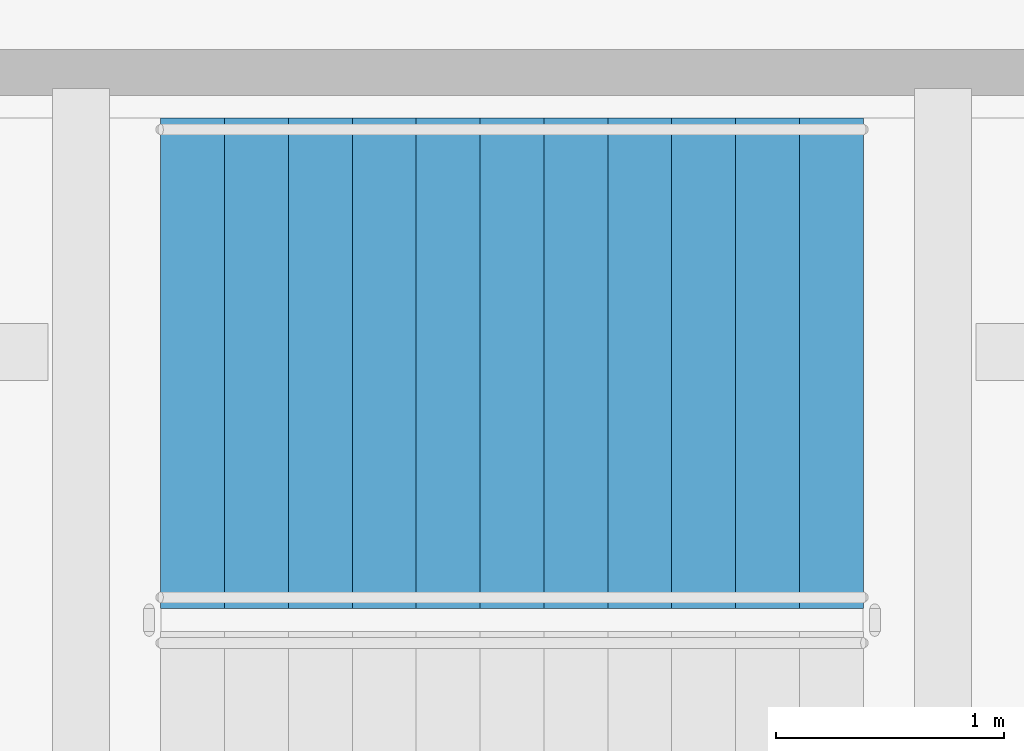
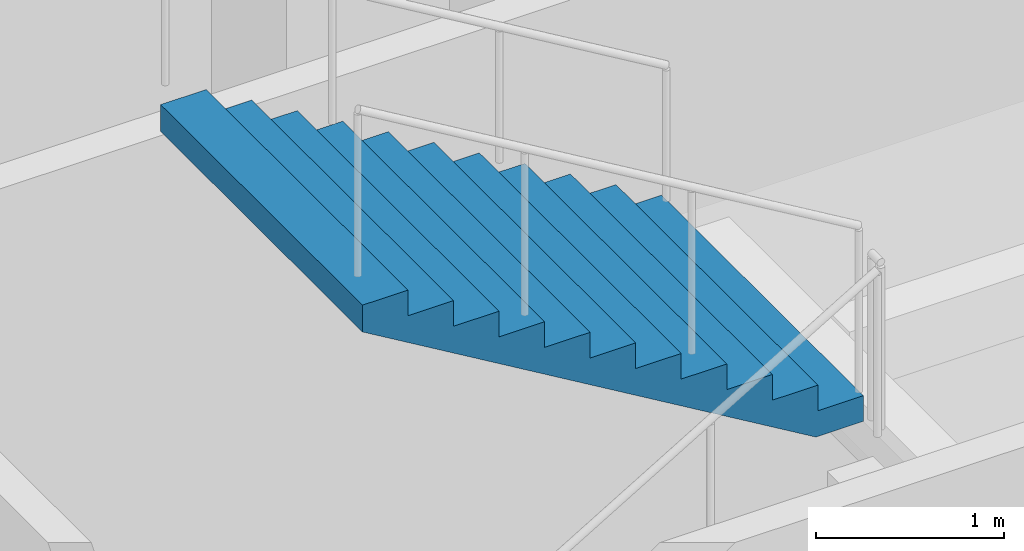
# One storey, part 22 of 30: 1 stair flight, 1 element without a shape of its own.
"""IFC4 building model written with IfcOpenShell, lengths in metres."""

from ifc_helpers import new_model, si_unit, direction, frame, origin, place, context, subcontext, project, spatial, triangles, material, type_object, element, aggregate, save


model = new_model("IFC4")

# Units and contexts
model_context = context("Model", 3, precision=1e-05, world=origin(), true_north=direction((0.0, 1.0)))
body_context = subcontext(model_context, "Body", "Model", "MODEL_VIEW")
ifc_project = project(units=[si_unit("LENGTHUNIT", "METRE"), si_unit("AREAUNIT", "SQUARE_METRE"), si_unit("VOLUMEUNIT", "CUBIC_METRE"), si_unit("PLANEANGLEUNIT", "RADIAN"), si_unit("MASSUNIT", "GRAM", prefix="KILO")], contexts=[model_context])

# Site, building, storey
site_placement = place(None, origin())
site = spatial("IfcSite", under=ifc_project, at=site_placement, CompositionType="ELEMENT")
building_placement = place(site_placement, origin())
building = spatial("IfcBuilding", under=site, at=building_placement, Name="Verdalira Terraces Hotel", CompositionType="ELEMENT")
storey_placement = place(building_placement, origin())
storey = spatial("IfcBuildingStorey", under=building, at=storey_placement, Name="L00", CompositionType="ELEMENT", Elevation=0.0)

# Stair, stair flight
ifc_material_1 = material(Name="Concrete C40", Category="concrete")
stair_type = type_object("IfcStairType", Name="Podium stair 48 risers", PredefinedType="HALF_TURN_STAIR", material=ifc_material_1)
stair_placement = place(storey_placement, origin())
stair = element("IfcStair", 1, at=stair_placement, inside=storey, type_object=stair_type, Name="L00 Exit stair PS1", PredefinedType="HALF_TURN_STAIR")
ifc_material_2 = material(Name="Concrete C40", Category="concrete")
stair_flight_type = type_object("IfcStairFlightType", Name="Podium stair flight 48 risers", PredefinedType="STRAIGHT", material=ifc_material_2)
stair_flight_placement = place(storey_placement, frame((2.330078, 39.925049, 6.0), z_axis=(0.0, 0.0, 1.0), x_axis=(-1.0, 0.0, 0.0)))
stair_flight = element("IfcStairFlight", 2, at=stair_flight_placement, type_object=stair_flight_type, Name="PS1 flight 4", NumberOfRisers=12, NumberOfTreads=11, PredefinedType="STRAIGHT", RiserHeight=0.166666667, TreadLength=0.28, context=body_context, shape_type="Tessellation", body=[
    triangles([(0.0, 1.074951, 0.0), (0.292969, 1.074951, 0.0), (3.080078, 1.074951, 1.658936), (0.0, -1.074951, 0.0), (0.292969, -1.074951, 0.0), (3.080078, -1.074951, 1.658936), (3.080078, 1.074951, 1.833252), (2.800049, 1.074951, 1.833252), (3.080078, -1.074951, 1.833252), (2.800049, -1.074951, 1.833252), (2.800049, 1.074951, 1.666748), (2.800049, -1.074951, 1.666748), (2.52002, 1.074951, 1.666748), (2.52002, -1.074951, 1.666748), (2.52002, 1.074951, 1.5), (2.52002, -1.074951, 1.5), (2.23999, 1.074951, 1.5), (2.23999, 1.074951, 1.333252), (2.23999, -1.074951, 1.5), (2.23999, -1.074951, 1.333252), (1.959961, 1.074951, 1.333252), (1.959961, 1.074951, 1.166748), (1.959961, -1.074951, 1.333252), (1.959961, -1.074951, 1.166748), (1.679932, 1.074951, 1.166748), (1.679932, 1.074951, 1.0), (1.679932, -1.074951, 1.166748), (1.679932, -1.074951, 1.0), (1.399902, 1.074951, 1.0), (1.399902, 1.074951, 0.833252), (1.399902, -1.074951, 1.0), (1.399902, -1.074951, 0.833252), (1.120117, 1.074951, 0.833252), (1.120117, 1.074951, 0.666748), (1.120117, -1.074951, 0.833252), (1.120117, -1.074951, 0.666748), (0.840088, 1.074951, 0.666748), (0.840088, 1.074951, 0.5), (0.840088, -1.074951, 0.666748), (0.840088, -1.074951, 0.5), (0.560059, 1.074951, 0.5), (0.560059, 1.074951, 0.333252), (0.560059, -1.074951, 0.5), (0.560059, -1.074951, 0.333252), (0.280029, 1.074951, 0.333252), (0.280029, 1.074951, 0.166748), (0.280029, -1.074951, 0.333252), (0.280029, -1.074951, 0.166748), (0.0, 1.074951, 0.166748), (0.0, -1.074951, 0.166748), (0.0, -1.007767, 0.0), (0.0, -1.007767, 0.166748), (0.0, -0.940582, 0.0), (0.0, -0.940582, 0.166748), (0.0, -0.873398, 0.0), (0.0, -0.873398, 0.166748), (0.0, -0.806213, 0.0), (0.0, -0.806213, 0.166748), (0.0, -0.739029, 0.0), (0.0, -0.739029, 0.166748), (0.0, -0.671844, 0.0), (0.0, -0.671844, 0.166748), (0.0, -0.60466, 0.0), (0.0, -0.60466, 0.166748), (0.0, -0.537476, 0.0), (0.0, -0.537476, 0.166748), (0.0, -0.470291, 0.0), (0.0, -0.470291, 0.166748), (0.0, -0.403107, 0.0), (0.0, -0.403107, 0.166748), (0.0, -0.335922, 0.0), (0.0, -0.335922, 0.166748), (0.0, -0.268738, 0.0), (0.0, -0.268738, 0.166748), (0.0, -0.201553, 0.0), (0.0, -0.201553, 0.166748), (0.0, -0.134369, 0.0), (0.0, -0.134369, 0.166748), (0.0, -0.067184, 0.0), (0.0, -0.067184, 0.166748), (0.0, 0.0, 0.0), (0.0, 0.0, 0.166748), (0.0, 0.067184, 0.0), (0.0, 0.067184, 0.166748), (0.0, 0.134369, 0.0), (0.0, 0.134369, 0.166748), (0.0, 0.201553, 0.0), (0.0, 0.201553, 0.166748), (0.0, 0.268738, 0.0), (0.0, 0.268738, 0.166748), (0.0, 0.335922, 0.0), (0.0, 0.335922, 0.166748), (0.0, 0.403107, 0.0), (0.0, 0.403107, 0.166748), (0.0, 0.470291, 0.0), (0.0, 0.470291, 0.166748), (0.0, 0.537476, 0.0), (0.0, 0.537476, 0.166748), (0.0, 0.60466, 0.0), (0.0, 0.60466, 0.166748), (0.0, 0.671844, 0.0), (0.0, 0.671844, 0.166748), (0.0, 0.739029, 0.0), (0.0, 0.739029, 0.166748), (0.0, 0.806213, 0.0), (0.0, 0.806213, 0.166748), (0.0, 0.873398, 0.0), (0.0, 0.873398, 0.166748), (0.0, 0.940582, 0.0), (0.0, 0.940582, 0.166748), (0.0, 1.007767, 0.0), (0.0, 1.007767, 0.166748), (3.080078, -1.007767, 1.833252), (3.080078, -0.940582, 1.833252), (3.080078, -0.873398, 1.833252), (3.080078, -0.806213, 1.833252), (3.080078, -0.739029, 1.833252), (3.080078, -0.671844, 1.833252), (3.080078, -0.60466, 1.833252), (3.080078, -0.537476, 1.833252), (3.080078, -0.470291, 1.833252), (3.080078, -0.403107, 1.833252), (3.080078, -0.335922, 1.833252), (3.080078, -0.268738, 1.833252), (3.080078, -0.201553, 1.833252), (3.080078, -0.134369, 1.833252), (3.080078, -0.067184, 1.833252), (3.080078, 0.0, 1.833252), (3.080078, 0.067184, 1.833252), (3.080078, 0.134369, 1.833252), (3.080078, 0.201553, 1.833252), (3.080078, 0.268738, 1.833252), (3.080078, 0.335922, 1.833252), (3.080078, 0.403107, 1.833252), (3.080078, 0.470291, 1.833252), (3.080078, 0.537476, 1.833252), (3.080078, 0.60466, 1.833252), (3.080078, 0.671844, 1.833252), (3.080078, 0.739029, 1.833252), (3.080078, 0.806213, 1.833252), (3.080078, 0.873398, 1.833252), (3.080078, 0.940582, 1.833252), (3.080078, 1.007767, 1.833252), (3.080078, -1.007767, 1.658936), (3.080078, -0.940582, 1.658936), (3.080078, -0.873398, 1.658936), (3.080078, -0.806213, 1.658936), (3.080078, -0.739029, 1.658936), (3.080078, -0.671844, 1.658936), (3.080078, -0.60466, 1.658936), (3.080078, -0.537476, 1.658936), (3.080078, -0.470291, 1.658936), (3.080078, -0.403107, 1.658936), (3.080078, -0.335922, 1.658936), (3.080078, -0.268738, 1.658936), (3.080078, -0.201553, 1.658936), (3.080078, -0.134369, 1.658936), (3.080078, -0.067184, 1.658936), (3.080078, 0.0, 1.658936), (3.080078, 0.067184, 1.658936), (3.080078, 0.134369, 1.658936), (3.080078, 0.201553, 1.658936), (3.080078, 0.268738, 1.658936), (3.080078, 0.335922, 1.658936), (3.080078, 0.403107, 1.658936), (3.080078, 0.470291, 1.658936), (3.080078, 0.537476, 1.658936), (3.080078, 0.60466, 1.658936), (3.080078, 0.671844, 1.658936), (3.080078, 0.739029, 1.658936), (3.080078, 0.806213, 1.658936), (3.080078, 0.873398, 1.658936), (3.080078, 0.940582, 1.658936), (3.080078, 1.007767, 1.658936)], [[1, 3, 2], [4, 5, 6], [3, 8, 7], [6, 9, 10], [3, 11, 8], [6, 10, 12], [3, 13, 11], [6, 12, 14], [3, 15, 13], [6, 14, 16], [15, 18, 17], [16, 19, 20], [3, 18, 15], [6, 16, 20], [18, 22, 21], [20, 23, 24], [3, 22, 18], [6, 20, 24], [22, 26, 25], [24, 27, 28], [3, 26, 22], [6, 24, 28], [26, 30, 29], [28, 31, 32], [3, 30, 26], [6, 28, 32], [30, 34, 33], [32, 35, 36], [3, 34, 30], [6, 32, 36], [34, 38, 37], [36, 39, 40], [3, 38, 34], [6, 36, 40], [38, 42, 41], [40, 43, 44], [3, 42, 38], [6, 40, 44], [1, 42, 3], [4, 6, 44], [42, 46, 45], [44, 47, 48], [1, 46, 42], [4, 44, 48], [46, 1, 49], [48, 50, 4], [4, 52, 51], [4, 50, 52], [51, 54, 53], [51, 52, 54], [53, 56, 55], [53, 54, 56], [55, 58, 57], [55, 56, 58], [57, 60, 59], [57, 58, 60], [59, 62, 61], [59, 60, 62], [61, 64, 63], [61, 62, 64], [63, 66, 65], [63, 64, 66], [65, 68, 67], [65, 66, 68], [67, 70, 69], [67, 68, 70], [69, 72, 71], [69, 70, 72], [71, 74, 73], [71, 72, 74], [73, 76, 75], [73, 74, 76], [75, 78, 77], [75, 76, 78], [77, 80, 79], [77, 78, 80], [79, 82, 81], [79, 80, 82], [81, 84, 83], [81, 82, 84], [83, 86, 85], [83, 84, 86], [85, 88, 87], [85, 86, 88], [87, 90, 89], [87, 88, 90], [89, 92, 91], [89, 90, 92], [91, 94, 93], [91, 92, 94], [93, 96, 95], [93, 94, 96], [95, 98, 97], [95, 96, 98], [97, 100, 99], [97, 98, 100], [99, 102, 101], [99, 100, 102], [101, 104, 103], [101, 102, 104], [103, 106, 105], [103, 104, 106], [105, 108, 107], [105, 106, 108], [107, 110, 109], [107, 108, 110], [109, 112, 111], [109, 110, 112], [111, 49, 1], [111, 112, 49], [50, 48, 52], [52, 48, 54], [54, 48, 56], [56, 48, 58], [58, 48, 60], [60, 48, 62], [62, 48, 64], [64, 48, 66], [66, 48, 68], [68, 48, 70], [70, 48, 72], [72, 48, 74], [74, 48, 76], [76, 48, 78], [78, 48, 80], [80, 48, 82], [82, 48, 84], [84, 48, 86], [86, 48, 88], [88, 48, 90], [90, 48, 92], [92, 48, 94], [94, 48, 96], [96, 48, 98], [98, 48, 100], [100, 48, 102], [102, 48, 104], [104, 48, 106], [106, 48, 108], [108, 48, 110], [110, 48, 112], [112, 48, 49], [49, 48, 46], [48, 45, 46], [48, 47, 45], [47, 42, 45], [47, 44, 42], [44, 41, 42], [44, 43, 41], [43, 38, 41], [43, 40, 38], [40, 37, 38], [40, 39, 37], [39, 34, 37], [39, 36, 34], [36, 33, 34], [36, 35, 33], [35, 30, 33], [35, 32, 30], [32, 29, 30], [32, 31, 29], [31, 26, 29], [31, 28, 26], [28, 25, 26], [28, 27, 25], [27, 22, 25], [27, 24, 22], [24, 21, 22], [24, 23, 21], [23, 18, 21], [23, 20, 18], [20, 17, 18], [20, 19, 17], [19, 15, 17], [19, 16, 15], [16, 13, 15], [16, 14, 13], [14, 11, 13], [14, 12, 11], [12, 8, 11], [12, 10, 8], [9, 113, 10], [113, 114, 10], [114, 115, 10], [115, 116, 10], [116, 117, 10], [117, 118, 10], [118, 119, 10], [119, 120, 10], [120, 121, 10], [121, 122, 10], [122, 123, 10], [123, 124, 10], [124, 125, 10], [125, 126, 10], [126, 127, 10], [127, 128, 10], [128, 129, 10], [129, 130, 10], [130, 131, 10], [131, 132, 10], [132, 133, 10], [133, 134, 10], [134, 135, 10], [135, 136, 10], [136, 137, 10], [137, 138, 10], [138, 139, 10], [139, 140, 10], [140, 141, 10], [141, 142, 10], [142, 143, 10], [143, 7, 10], [7, 8, 10], [9, 144, 113], [9, 6, 144], [113, 145, 114], [113, 144, 145], [114, 146, 115], [114, 145, 146], [115, 147, 116], [115, 146, 147], [116, 148, 117], [116, 147, 148], [117, 149, 118], [117, 148, 149], [118, 150, 119], [118, 149, 150], [119, 151, 120], [119, 150, 151], [120, 152, 121], [120, 151, 152], [121, 153, 122], [121, 152, 153], [122, 154, 123], [122, 153, 154], [123, 155, 124], [123, 154, 155], [124, 156, 125], [124, 155, 156], [125, 157, 126], [125, 156, 157], [126, 158, 127], [126, 157, 158], [127, 159, 128], [127, 158, 159], [128, 160, 129], [128, 159, 160], [129, 161, 130], [129, 160, 161], [130, 162, 131], [130, 161, 162], [131, 163, 132], [131, 162, 163], [132, 164, 133], [132, 163, 164], [133, 165, 134], [133, 164, 165], [134, 166, 135], [134, 165, 166], [135, 167, 136], [135, 166, 167], [136, 168, 137], [136, 167, 168], [137, 169, 138], [137, 168, 169], [138, 170, 139], [138, 169, 170], [139, 171, 140], [139, 170, 171], [140, 172, 141], [140, 171, 172], [141, 173, 142], [141, 172, 173], [142, 174, 143], [142, 173, 174], [143, 3, 7], [143, 174, 3], [6, 5, 144], [144, 5, 145], [145, 5, 146], [146, 5, 147], [147, 5, 148], [148, 5, 149], [149, 5, 150], [150, 5, 151], [151, 5, 152], [152, 5, 153], [153, 5, 154], [154, 5, 155], [155, 5, 156], [156, 5, 157], [157, 5, 158], [158, 5, 159], [159, 5, 160], [160, 5, 161], [161, 5, 162], [162, 5, 163], [163, 5, 164], [164, 5, 165], [165, 5, 166], [166, 5, 167], [167, 5, 168], [168, 5, 169], [169, 5, 170], [170, 5, 171], [171, 5, 172], [172, 5, 173], [173, 5, 174], [174, 5, 3], [3, 5, 2], [4, 51, 5], [51, 53, 5], [53, 55, 5], [55, 57, 5], [57, 59, 5], [59, 61, 5], [61, 63, 5], [63, 65, 5], [65, 67, 5], [67, 69, 5], [69, 71, 5], [71, 73, 5], [73, 75, 5], [75, 77, 5], [77, 79, 5], [79, 81, 5], [81, 83, 5], [83, 85, 5], [85, 87, 5], [87, 89, 5], [89, 91, 5], [91, 93, 5], [93, 95, 5], [95, 97, 5], [97, 99, 5], [99, 101, 5], [101, 103, 5], [103, 105, 5], [105, 107, 5], [107, 109, 5], [109, 111, 5], [111, 1, 5], [1, 2, 5]], closed=True),
])
aggregate(stair, [stair_flight])

save(model, "model.ifc")
